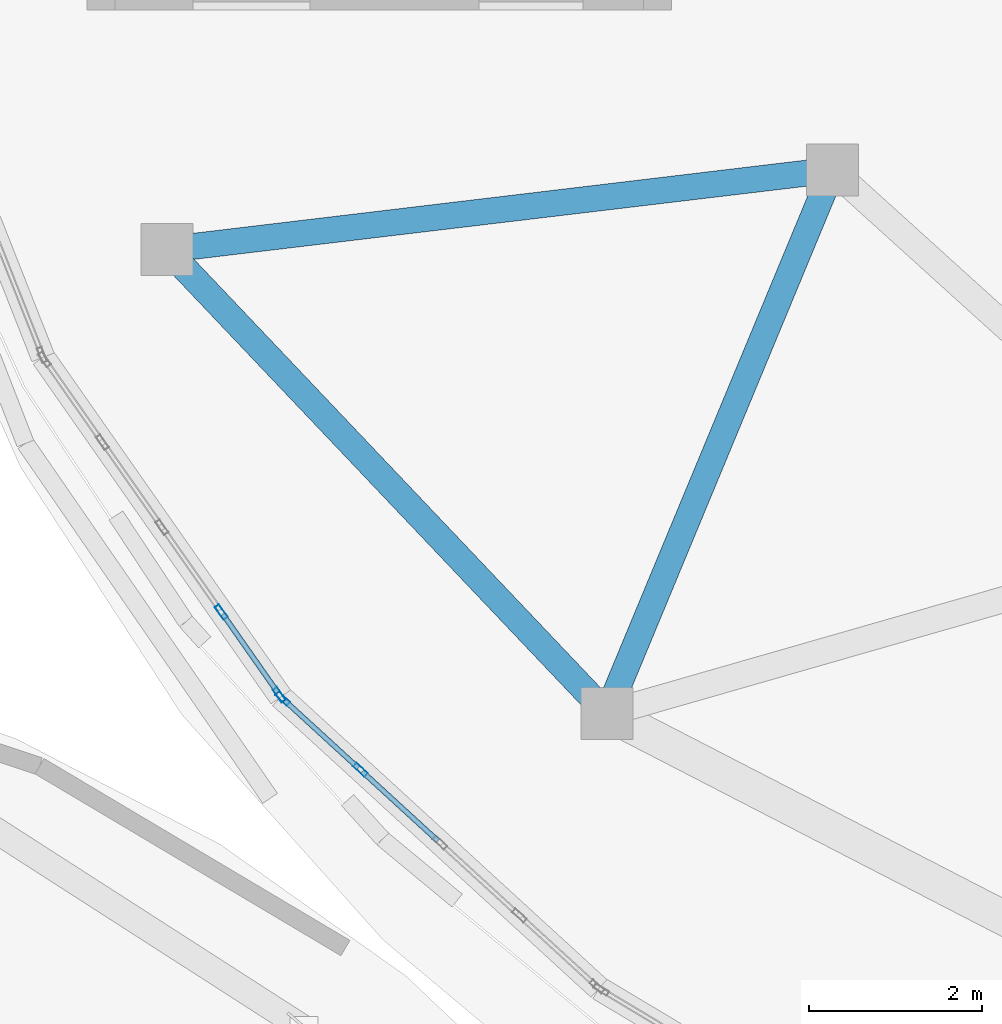
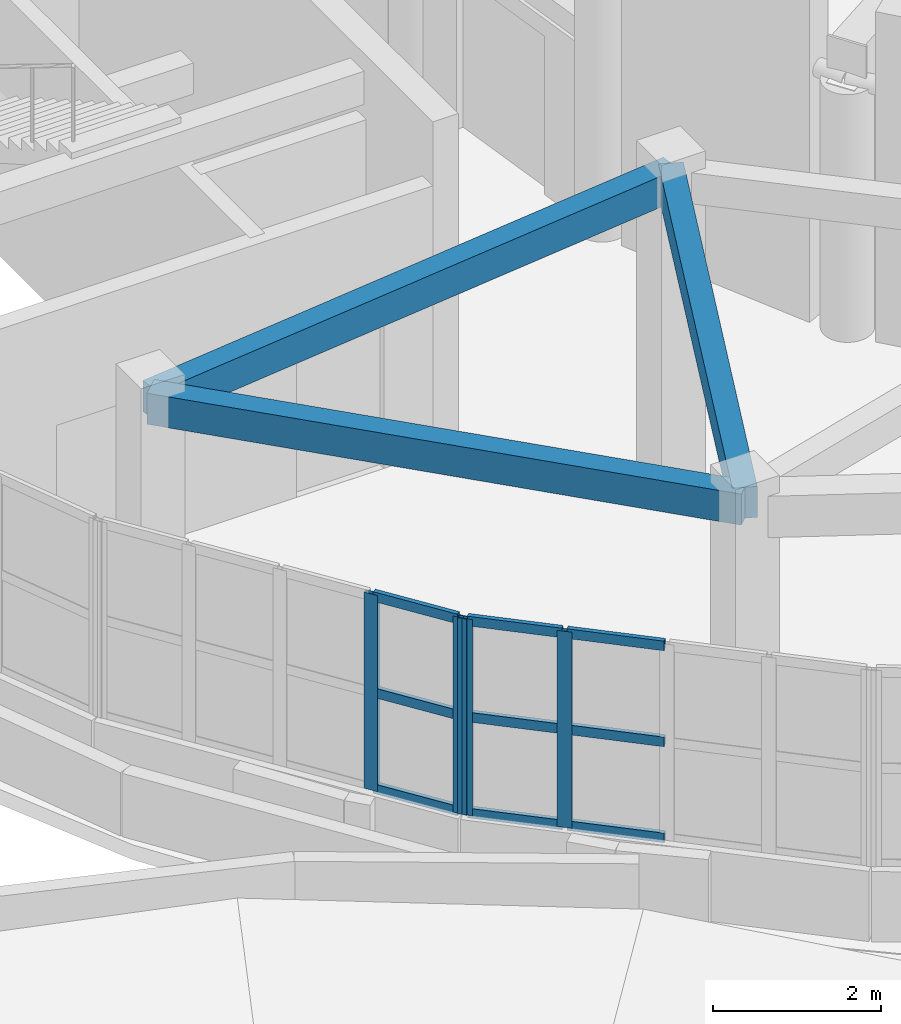
# One storey, part 18 of 69: 13 members, 3 beams, 2 elements without a shape of their own.
"""IFC4 building model written with IfcOpenShell, lengths in metres."""

from ifc_helpers import new_model, si_unit, direction, frame, origin, origin_2d, place, context, subcontext, project, spatial, rectangle, hollow_rectangle, extrude, material, layer, layer_set, material_profile, profile_set, type_object, element, aggregate, save


model = new_model("IFC4")

# Units and contexts
model_context = context("Model", 3, precision=1e-05, world=origin(), true_north=direction((0.0, 1.0)))
body_context = subcontext(model_context, "Body", "Model", "MODEL_VIEW")
ifc_project = project(units=[si_unit("LENGTHUNIT", "METRE"), si_unit("AREAUNIT", "SQUARE_METRE"), si_unit("VOLUMEUNIT", "CUBIC_METRE"), si_unit("PLANEANGLEUNIT", "RADIAN"), si_unit("MASSUNIT", "GRAM", prefix="KILO")], contexts=[model_context])

# Site, building, storey
site_placement = place(None, origin())
site = spatial("IfcSite", under=ifc_project, at=site_placement, CompositionType="ELEMENT")
building_placement = place(site_placement, origin())
building = spatial("IfcBuilding", under=site, at=building_placement, Name="Pelvatis Terrace Science Centre", CompositionType="ELEMENT")
storey_placement = place(building_placement, frame((0.0, 0.0, 15.0)))
storey = spatial("IfcBuildingStorey", under=building, at=storey_placement, Name="L03", CompositionType="ELEMENT", Elevation=15.0)

# Beams
ifc_material_1 = material(Name="Concrete C35/45", Category="concrete")
ifc_material_profile_1 = material_profile(ifc_material_1, rectangle(XDim=0.300048828125, YDim=0.449951171875, at=origin_2d()), Name="RC-BM 300x450")
ifc_profile_set_1 = profile_set([ifc_material_profile_1], Name="Concrete C35/45")
beam_type = type_object("IfcBeamType", Name="BM-RC-300x450", PredefinedType="BEAM", material=ifc_profile_set_1)
beam_1_placement = place(storey_placement, frame((87.548583984375, 76.43798828125, 4.324951171875), z_axis=(0.688284988325, -0.725440400616, 0.0), x_axis=(0.725440400616, 0.688284988325, 0.0)))
element("IfcBeam", 1, at=beam_1_placement, inside=storey, type_object=beam_type, Name="Beam BM-L03-3024", PredefinedType="BEAM", context=body_context, shape_type="SweptSolid", body=[
    extrude(rectangle(XDim=0.300048828125, YDim=0.449951171875, at=origin_2d()), origin(), (0.0, 0.0, 1.0), 7.37890625),
])
beam_2_placement = place(storey_placement, frame((87.548583984375, 76.43798828125, 4.324951171875), z_axis=(0.992948179186, 0.118549202657, 0.0), x_axis=(-0.118549202657, 0.992948179186, 0.0)))
element("IfcBeam", 2, at=beam_2_placement, inside=storey, type_object=beam_type, Name="Beam BM-L03-3025", PredefinedType="BEAM", context=body_context, shape_type="SweptSolid", body=[
    extrude(rectangle(XDim=0.300048828125, YDim=0.449951171875, at=origin_2d()), origin(), (0.0, 0.0, 1.0), 7.737060546875),
])
beam_3_placement = place(storey_placement, frame((92.62744140625, 71.0849609375, 4.324951171875), z_axis=(0.383504415053, 0.923539042832, 0.0), x_axis=(-0.923539042832, 0.383504415053, 0.0)))
element("IfcBeam", 3, at=beam_3_placement, inside=storey, type_object=beam_type, Name="Beam BM-L03-3027", PredefinedType="BEAM", context=body_context, shape_type="SweptSolid", body=[
    extrude(rectangle(XDim=0.300048828125, YDim=0.449951171875, at=origin_2d()), origin(), (0.0, 0.0, 1.0), 6.789306640625),
])

# Curtain wall, members
ifc_material_2 = material(Name="Bronze-anodised aluminium and laminated glass", Category="aluminium")
ifc_layer = layer(ifc_material_2, 0.179931640625)
ifc_layer_set = layer_set([ifc_layer], Name="Bronze-anodised aluminium and laminated glass")
curtain_wall_type = type_object("IfcCurtainWallType", Name="CW-RIBBON-A", PredefinedType="NOTDEFINED", material=ifc_layer_set)
curtain_wall_1_placement = place(storey_placement, origin())
curtain_wall_1 = element("IfcCurtainWall", 4, at=curtain_wall_1_placement, inside=storey, type_object=curtain_wall_type, Name="Ribbon curtain wall CW-200 (L03)", PredefinedType="NOTDEFINED")
ifc_material_3 = material(Name="Bronze-anodised aluminium 6063-T6", Category="aluminium")
ifc_material_profile_2 = material_profile(ifc_material_3, hollow_rectangle(XDim=0.06005859375, YDim=0.179931640625, WallThickness=0.00390625, at=origin_2d()), Name="ALU-MUL 60x180")
ifc_profile_set_2 = profile_set([ifc_material_profile_2], Name="Bronze-anodised aluminium 6063-T6")
member_type_1 = type_object("IfcMemberType", Name="CWM-60x180", PredefinedType="MULLION", material=ifc_profile_set_2)
member_1_placement = place(storey_placement, frame((88.17724609375, 72.25439453125, 1.02001953125), z_axis=(0.0, 0.0, 1.0), x_axis=(0.81922799303, 0.573467955021, 0.0)))
member_1 = element("IfcMember", 5, at=member_1_placement, type_object=member_type_1, Name="CW-200 mullion 4", PredefinedType="MULLION", context=body_context, shape_type="SweptSolid", body=[
    extrude(hollow_rectangle(XDim=0.06005859375, YDim=0.179931640625, WallThickness=0.00390625, at=origin_2d()), origin(), (0.0, 0.0, 1.0), 2.85009765625),
])
member_2_placement = place(storey_placement, frame((88.84619140625, 71.299072265625, 1.02001953125), z_axis=(0.0, 0.0, 1.0), x_axis=(0.81922799303, 0.573467955021, 0.0)))
member_2 = element("IfcMember", 6, at=member_2_placement, type_object=member_type_1, Name="CW-200 mullion 5", PredefinedType="MULLION", context=body_context, shape_type="SweptSolid", body=[
    extrude(hollow_rectangle(XDim=0.06005859375, YDim=0.179931640625, WallThickness=0.00390625, at=origin_2d()), origin(), (0.0, 0.0, 1.0), 2.85009765625),
])

curtain_wall_2_placement = place(storey_placement, origin())
curtain_wall_2 = element("IfcCurtainWall", 7, at=curtain_wall_2_placement, inside=storey, type_object=curtain_wall_type, Name="Ribbon curtain wall CW-201 (L03)", PredefinedType="NOTDEFINED")
member_3_placement = place(storey_placement, frame((88.885498046875, 71.254150390625, 1.02001953125), z_axis=(0.0, 0.0, 1.0), x_axis=(0.675451772708, 0.737404165127, 0.0)))
member_3 = element("IfcMember", 8, at=member_3_placement, type_object=member_type_1, Name="CW-201 mullion 1", PredefinedType="MULLION", context=body_context, shape_type="SweptSolid", body=[
    extrude(hollow_rectangle(XDim=0.06005859375, YDim=0.179931640625, WallThickness=0.00390625, at=origin_2d()), origin(), (0.0, 0.0, 1.0), 2.85009765625),
])
member_4_placement = place(storey_placement, frame((89.78125, 70.43359375, 1.02001953125), z_axis=(0.0, 0.0, 1.0), x_axis=(0.675451772708, 0.737404165127, 0.0)))
member_4 = element("IfcMember", 9, at=member_4_placement, type_object=member_type_1, Name="CW-201 mullion 2", PredefinedType="MULLION", context=body_context, shape_type="SweptSolid", body=[
    extrude(hollow_rectangle(XDim=0.06005859375, YDim=0.179931640625, WallThickness=0.00390625, at=origin_2d()), origin(), (0.0, 0.0, 1.0), 2.85009765625),
])

# Member
ifc_material_4 = material(Name="Bronze-anodised aluminium 6063-T6", Category="aluminium")
ifc_material_profile_3 = material_profile(ifc_material_4, hollow_rectangle(XDim=0.06005859375, YDim=0.139892578125, WallThickness=0.00390625, at=origin_2d()), Name="ALU-TRN 60x140")
ifc_profile_set_3 = profile_set([ifc_material_profile_3], Name="Bronze-anodised aluminium 6063-T6")
member_type_2 = type_object("IfcMemberType", Name="CWT-60x140", PredefinedType="USERDEFINED", material=ifc_profile_set_3)
member_5_placement = place(storey_placement, frame((88.194580078125, 72.229736328125, 1.050048828125), z_axis=(0.573403092011, -0.819273393973, 0.0), x_axis=(0.819273393973, 0.573403092011, 0.0)))
member_5 = element("IfcMember", 10, at=member_5_placement, type_object=member_type_2, Name="CW-200 transom 4.1", ObjectType="TRANSOM", PredefinedType="USERDEFINED", context=body_context, shape_type="SweptSolid", body=[
    extrude(hollow_rectangle(XDim=0.06005859375, YDim=0.139892578125, WallThickness=0.00390625, at=origin_2d()), origin(), (0.0, 0.0, 1.0), 1.106201171875),
])

member_6_placement = place(storey_placement, frame((88.194580078125, 72.229736328125, 2.445068359375), z_axis=(0.573403092011, -0.819273393973, 0.0), x_axis=(0.819273393973, 0.573403092011, 0.0)))
member_6 = element("IfcMember", 11, at=member_6_placement, type_object=member_type_2, Name="CW-200 transom 4.2", ObjectType="TRANSOM", PredefinedType="USERDEFINED", context=body_context, shape_type="SweptSolid", body=[
    extrude(hollow_rectangle(XDim=0.06005859375, YDim=0.139892578125, WallThickness=0.00390625, at=origin_2d()), origin(), (0.0, 0.0, 1.0), 1.106201171875),
])

member_7_placement = place(storey_placement, frame((88.194580078125, 72.229736328125, 3.840087890625), z_axis=(0.573403092011, -0.819273393973, 0.0), x_axis=(0.819273393973, 0.573403092011, 0.0)))
member_7 = element("IfcMember", 12, at=member_7_placement, type_object=member_type_2, Name="CW-200 transom 4.3", ObjectType="TRANSOM", PredefinedType="USERDEFINED", context=body_context, shape_type="SweptSolid", body=[
    extrude(hollow_rectangle(XDim=0.06005859375, YDim=0.139892578125, WallThickness=0.00390625, at=origin_2d()), origin(), (0.0, 0.0, 1.0), 1.106201171875),
])

aggregate(curtain_wall_1, [member_1, member_2, member_5, member_6, member_7])

member_8_placement = place(storey_placement, frame((88.907470703125, 71.23388671875, 1.050048828125), z_axis=(0.737496237999, -0.67535124116, 0.0), x_axis=(0.67535124116, 0.737496237999, 0.0)))
member_8 = element("IfcMember", 13, at=member_8_placement, type_object=member_type_2, Name="CW-201 transom 1.1", ObjectType="TRANSOM", PredefinedType="USERDEFINED", context=body_context, shape_type="SweptSolid", body=[
    extrude(hollow_rectangle(XDim=0.06005859375, YDim=0.139892578125, WallThickness=0.00390625, at=origin_2d()), origin(), (0.0, 0.0, 1.0), 1.155029296875),
])

member_9_placement = place(storey_placement, frame((88.907470703125, 71.23388671875, 2.445068359375), z_axis=(0.737496237999, -0.67535124116, 0.0), x_axis=(0.67535124116, 0.737496237999, 0.0)))
member_9 = element("IfcMember", 14, at=member_9_placement, type_object=member_type_2, Name="CW-201 transom 1.2", ObjectType="TRANSOM", PredefinedType="USERDEFINED", context=body_context, shape_type="SweptSolid", body=[
    extrude(hollow_rectangle(XDim=0.06005859375, YDim=0.139892578125, WallThickness=0.00390625, at=origin_2d()), origin(), (0.0, 0.0, 1.0), 1.155029296875),
])

member_10_placement = place(storey_placement, frame((88.907470703125, 71.23388671875, 3.840087890625), z_axis=(0.737496237999, -0.67535124116, 0.0), x_axis=(0.67535124116, 0.737496237999, 0.0)))
member_10 = element("IfcMember", 15, at=member_10_placement, type_object=member_type_2, Name="CW-201 transom 1.3", ObjectType="TRANSOM", PredefinedType="USERDEFINED", context=body_context, shape_type="SweptSolid", body=[
    extrude(hollow_rectangle(XDim=0.06005859375, YDim=0.139892578125, WallThickness=0.00390625, at=origin_2d()), origin(), (0.0, 0.0, 1.0), 1.155029296875),
])

member_11_placement = place(storey_placement, frame((89.803466796875, 70.413330078125, 1.050048828125), z_axis=(0.737333698519, -0.675528694452, 0.0), x_axis=(0.675528694452, 0.737333698519, 0.0)))
member_11 = element("IfcMember", 16, at=member_11_placement, type_object=member_type_2, Name="CW-201 transom 2.1", ObjectType="TRANSOM", PredefinedType="USERDEFINED", context=body_context, shape_type="SweptSolid", body=[
    extrude(hollow_rectangle(XDim=0.06005859375, YDim=0.139892578125, WallThickness=0.00390625, at=origin_2d()), origin(), (0.0, 0.0, 1.0), 1.18505859375),
])

member_12_placement = place(storey_placement, frame((89.803466796875, 70.413330078125, 2.445068359375), z_axis=(0.737333698519, -0.675528694452, 0.0), x_axis=(0.675528694452, 0.737333698519, 0.0)))
member_12 = element("IfcMember", 17, at=member_12_placement, type_object=member_type_2, Name="CW-201 transom 2.2", ObjectType="TRANSOM", PredefinedType="USERDEFINED", context=body_context, shape_type="SweptSolid", body=[
    extrude(hollow_rectangle(XDim=0.06005859375, YDim=0.139892578125, WallThickness=0.00390625, at=origin_2d()), origin(), (0.0, 0.0, 1.0), 1.18505859375),
])

member_13_placement = place(storey_placement, frame((89.803466796875, 70.413330078125, 3.840087890625), z_axis=(0.737333698519, -0.675528694452, 0.0), x_axis=(0.675528694452, 0.737333698519, 0.0)))
member_13 = element("IfcMember", 18, at=member_13_placement, type_object=member_type_2, Name="CW-201 transom 2.3", ObjectType="TRANSOM", PredefinedType="USERDEFINED", context=body_context, shape_type="SweptSolid", body=[
    extrude(hollow_rectangle(XDim=0.06005859375, YDim=0.139892578125, WallThickness=0.00390625, at=origin_2d()), origin(), (0.0, 0.0, 1.0), 1.18505859375),
])

aggregate(curtain_wall_2, [member_3, member_4, member_8, member_9, member_10, member_11, member_12, member_13])

save(model, "model.ifc")
